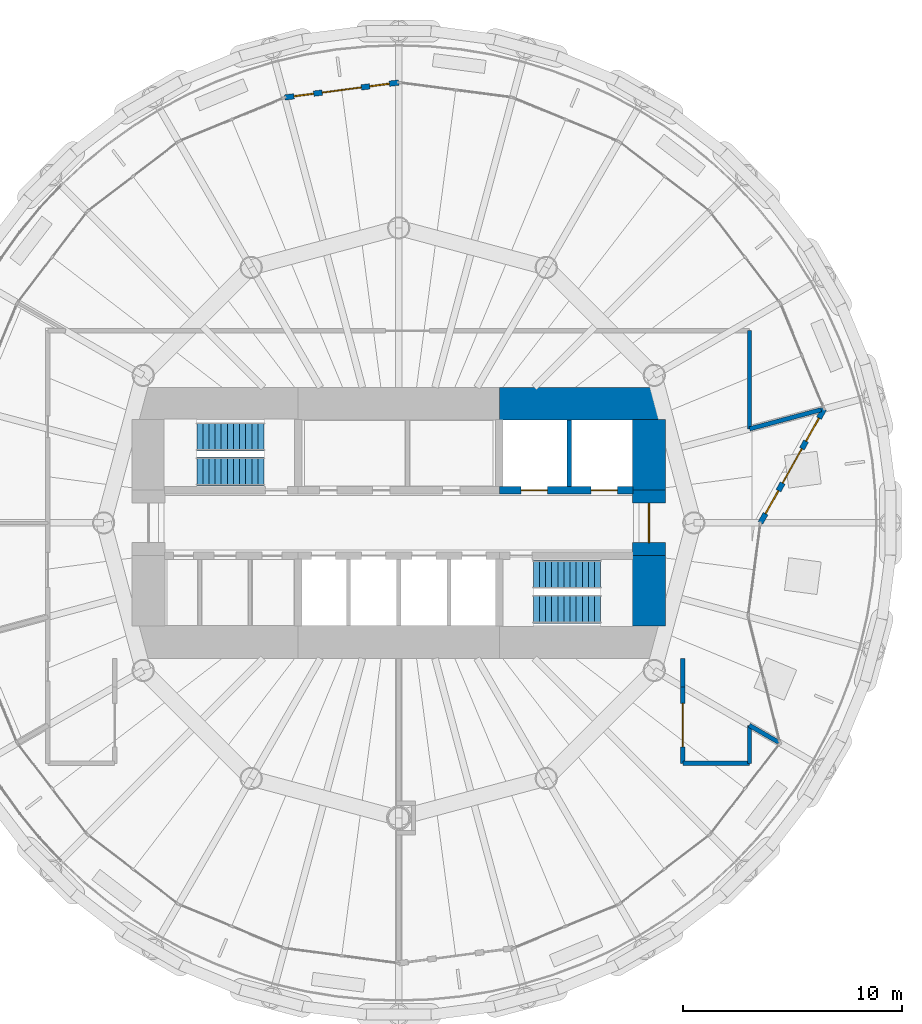
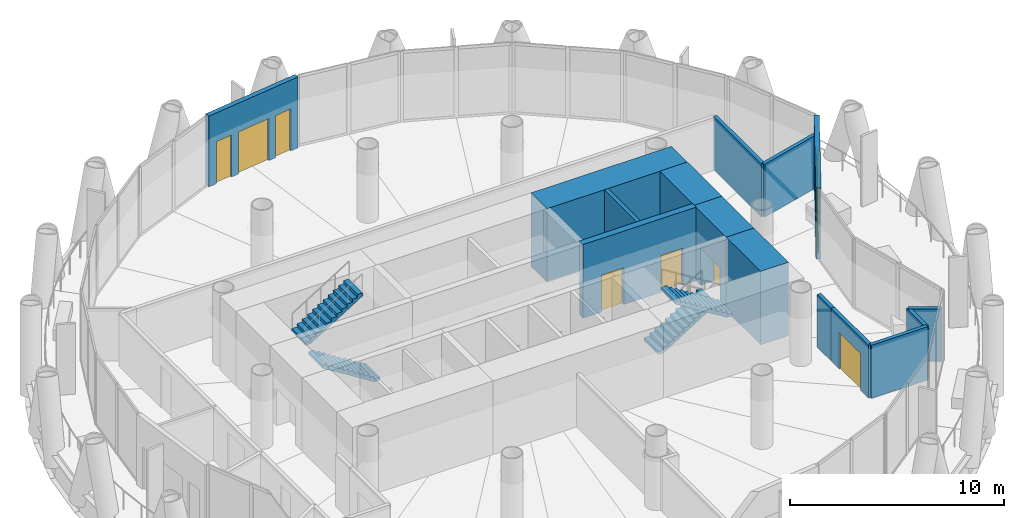
# One storey, part 10 of 13: 15 walls, 6 doors, 4 stair flights, 4 windows, 10 openings, 2 elements without a shape of their own.
"""IFC4 building model written with IfcOpenShell, lengths in metres."""

import ifcopenshell
import ifcopenshell.guid

model = None  # the IFC model being written
_history = None  # IfcOwnerHistory: only IFC2X3 demands one
_inside = {}  # id of a spatial element -> (the spatial element, [elements in it])
_under = {}  # id of a project, library or spatial element -> (it, [spatial elements below it])
_declared = {}  # id of a project -> (the project, [libraries it declares])
_typed = {}  # id of a type object -> (the type object, [elements of that type])
_made_of = {}  # id of a material, layer set ... -> (it, [elements and type objects made of it])


def new_model(schema):
    """Start an empty IFC model of exactly this schema.

    Asked for "IFC4X3", IfcOpenShell would pick the latest addendum, in which some entities
    have other attributes; the version numbers below select the first issue.
    IFC2X3 requires an IfcOwnerHistory on every rooted entity: one is made here for all.
    """
    global model, _history
    if schema == "IFC4X3":
        model = ifcopenshell.file(schema_version=(4, 3, 0, 0))
    else:
        model = ifcopenshell.file(schema=schema)
    _inside.clear()
    _under.clear()
    _declared.clear()
    _typed.clear()
    _made_of.clear()
    _history = None
    if model.schema == "IFC2X3":
        org = make("IfcOrganization", Name="unknown")
        user = make(
            "IfcPersonAndOrganization",
            ThePerson=make("IfcPerson", FamilyName="unknown"),
            TheOrganization=org,
        )
        app = make(
            "IfcApplication",
            ApplicationDeveloper=org,
            Version="unknown",
            ApplicationFullName="unknown",
            ApplicationIdentifier="unknown",
        )
        _history = make(
            "IfcOwnerHistory",
            OwningUser=user,
            OwningApplication=app,
            ChangeAction="ADDED",
            CreationDate=0,
        )
    return model


def make(cls, **values):
    """One entity of the class cls with the attributes given. An attribute that is None is left unset."""
    return model.create_entity(
        cls, **{name: value for name, value in values.items() if value is not None}
    )


def rooted(cls, **values):
    """An entity with a GlobalId (a new one), such as an element, a storey or a relation."""
    return make(cls, GlobalId=ifcopenshell.guid.new(), OwnerHistory=_history, **values)


def si_unit(unit_type, name, prefix=None):
    """IfcSIUnit, for example si_unit("LENGTHUNIT", "METRE", prefix="MILLI")."""
    return make("IfcSIUnit", UnitType=unit_type, Prefix=prefix, Name=name)


def assignment(units):
    """IfcUnitAssignment: the units of a project."""
    return None if units is None else make("IfcUnitAssignment", Units=units)


def point(xyz):
    """IfcCartesianPoint."""
    return None if xyz is None else make("IfcCartesianPoint", Coordinates=xyz)


def direction(xyz):
    """IfcDirection."""
    return None if xyz is None else make("IfcDirection", DirectionRatios=xyz)


def frame(location, z_axis=None, x_axis=None):
    """IfcAxis2Placement3D, a coordinate frame: its origin and axes. An axis left out is left unset."""
    return make(
        "IfcAxis2Placement3D",
        Location=point(location),
        Axis=direction(z_axis),
        RefDirection=direction(x_axis),
    )


def frame_2d(location, x_axis=None):
    """IfcAxis2Placement2D, a coordinate frame in the plane: its origin and x axis."""
    return make(
        "IfcAxis2Placement2D", Location=point(location), RefDirection=direction(x_axis)
    )


def origin():
    """The frame at (0, 0, 0) with its axes left unset."""
    return frame((0.0, 0.0, 0.0))


def place(relative_to, where):
    """IfcLocalPlacement: puts the frame where relative to a parent placement (None: the world)."""
    return make(
        "IfcLocalPlacement", PlacementRelTo=relative_to, RelativePlacement=where
    )


def context(
    kind, dimensions, precision=None, world=None, true_north=None, identifier=None
):
    """IfcGeometricRepresentationContext, for example the 3D "Model" context."""
    return make(
        "IfcGeometricRepresentationContext",
        ContextIdentifier=identifier,
        ContextType=kind,
        CoordinateSpaceDimension=dimensions,
        Precision=precision,
        WorldCoordinateSystem=world,
        TrueNorth=true_north,
    )


def subcontext(parent, identifier, kind, view, scale=None):
    """IfcGeometricRepresentationSubContext, for example "Body" below "Model"."""
    return make(
        "IfcGeometricRepresentationSubContext",
        ContextIdentifier=identifier,
        ContextType=kind,
        ParentContext=parent,
        TargetScale=scale,
        TargetView=view,
    )


def project(units=None, contexts=None):
    """IfcProject with its units and contexts."""
    return rooted(
        "IfcProject",
        Name="project",
        RepresentationContexts=contexts,
        UnitsInContext=assignment(units),
    )


def spatial(cls, under=None, at=None, **own):
    """A site, building, storey or space (cls), placed at a placement, below another one or the project."""
    s = rooted(cls, ObjectPlacement=at, **own)
    if under is not None:
        _under.setdefault(under.id(), (under, []))[1].append(s)
    return s


def polyline(points):
    """IfcPolyline through the points."""
    return make("IfcPolyline", Points=[point(p) for p in points])


def profile(cls, at=None, kind="AREA", **sizes):
    """A parametric profile (cls). Its sizes go by their IFC names, for example OverallWidth=200.0."""
    return make(cls, ProfileType=kind, Position=at, **sizes)


def rectangle(**sizes):
    """IfcRectangleProfileDef."""
    return profile("IfcRectangleProfileDef", **sizes)


def outline(outer, holes=None, kind="AREA"):
    """IfcArbitraryClosedProfileDef: a profile drawn as a closed curve; with holes, ...WithVoids."""
    if holes is None:
        return make("IfcArbitraryClosedProfileDef", ProfileType=kind, OuterCurve=outer)
    return make(
        "IfcArbitraryProfileDefWithVoids",
        ProfileType=kind,
        OuterCurve=outer,
        InnerCurves=holes,
    )


def extrude(swept, where, along, depth):
    """IfcExtrudedAreaSolid: the profile swept, set in the frame where, extruded along a direction by depth."""
    return make(
        "IfcExtrudedAreaSolid",
        SweptArea=swept,
        Position=where,
        ExtrudedDirection=direction(along),
        Depth=depth,
    )


def shape(context_of_items, identifier, shape_type, items):
    """IfcShapeRepresentation: the items that make up one representation, for example the "Body"."""
    return make(
        "IfcShapeRepresentation",
        ContextOfItems=context_of_items,
        RepresentationIdentifier=identifier,
        RepresentationType=shape_type,
        Items=items,
    )


def material(Name=None, Category=None):
    """IfcMaterial."""
    return make("IfcMaterial", Name=Name, Category=Category)


def layer(
    of_material, thickness, ventilated=None, Name=None, Category=None, Priority=None
):
    """IfcMaterialLayer: one layer of a wall or slab, of a material (None: an air gap)."""
    return make(
        "IfcMaterialLayer",
        Material=of_material,
        LayerThickness=thickness,
        IsVentilated=ventilated,
        Name=Name,
        Category=Category,
        Priority=Priority,
    )


def layer_set(layers, Name=None):
    """IfcMaterialLayerSet."""
    return make("IfcMaterialLayerSet", MaterialLayers=layers, LayerSetName=Name)


def made_of(thing, what):
    """Note that an element or type object is made of a material, layer set ...; save() writes the relation."""
    if what is not None:
        _made_of.setdefault(what.id(), (what, []))[1].append(thing)
    return thing


def type_object(cls, material=None, **own):
    """A type object (cls), such as IfcWallType, which elements share."""
    return made_of(rooted(cls, **own), material)


def element(
    cls,
    number,
    at=None,
    inside=None,
    cuts=None,
    type_object=None,
    material=None,
    context=None,
    identifier="Body",
    shape_type=None,
    held_by="IfcProductDefinitionShape",
    body=None,
    shapes=None,
    **own,
):
    """One element of the class cls, such as IfcWall. Its Tag is "e" and its number.

    at: its placement. inside: the storey or other place that contains it. cuts: it is an
    opening in that element (IfcRelVoidsElement). A single representation is given by context,
    identifier, shape_type and body (its items); several are given by shapes. held_by: the class
    of the entity that holds the representations. save() writes the other relations.
    """
    e = rooted(cls, Tag="e%d" % number, ObjectPlacement=at, **own)
    if body is not None:
        shapes = [shape(context, identifier, shape_type, body)]
    if shapes is not None:
        e.Representation = make(held_by, Representations=shapes)
    if inside is not None:
        _inside.setdefault(inside.id(), (inside, []))[1].append(e)
    if cuts is not None:
        rooted(
            "IfcRelVoidsElement", RelatingBuildingElement=cuts, RelatedOpeningElement=e
        )
    if type_object is not None:
        _typed.setdefault(type_object.id(), (type_object, []))[1].append(e)
    return made_of(e, material)


def fill(opening, filler):
    """IfcRelFillsElement: the door or window that sits in an opening."""
    return rooted(
        "IfcRelFillsElement",
        RelatingOpeningElement=opening,
        RelatedBuildingElement=filler,
    )


def aggregate(whole, parts):
    """IfcRelAggregates: a whole, such as a stair, and the parts it consists of."""
    return rooted("IfcRelAggregates", RelatingObject=whole, RelatedObjects=parts)


def save(model, path):
    """Write the relations noted so far, then the file.

    IfcRelAggregates (storeys below a building ...), IfcRelContainedInSpatialStructure (elements
    in a storey), IfcRelDefinesByType, IfcRelAssociatesMaterial and IfcRelDeclares: one each for
    every whole, place, type object, material and project.
    """
    for whole, parts in _under.values():
        aggregate(whole, parts)
    for where, things in _inside.values():
        rooted(
            "IfcRelContainedInSpatialStructure",
            RelatedElements=things,
            RelatingStructure=where,
        )
    for kind, things in _typed.values():
        rooted("IfcRelDefinesByType", RelatedObjects=things, RelatingType=kind)
    for what, things in _made_of.values():
        rooted("IfcRelAssociatesMaterial", RelatedObjects=things, RelatingMaterial=what)
    for by, libraries in _declared.values():
        rooted("IfcRelDeclares", RelatingContext=by, RelatedDefinitions=libraries)
    model.write(path)


model = new_model("IFC4")

# Units and contexts
model_context = context("Model", 3, precision=1e-05, world=origin(), true_north=direction((0.0, 1.0)))
body_context = subcontext(model_context, "Body", "Model", "MODEL_VIEW")
ifc_project = project(units=[si_unit("LENGTHUNIT", "METRE"), si_unit("AREAUNIT", "SQUARE_METRE"), si_unit("VOLUMEUNIT", "CUBIC_METRE"), si_unit("PLANEANGLEUNIT", "RADIAN"), si_unit("MASSUNIT", "GRAM", prefix="KILO")], contexts=[model_context])

# Site, building, storey
site_placement = place(None, origin())
site = spatial("IfcSite", under=ifc_project, at=site_placement, CompositionType="ELEMENT")
building_placement = place(site_placement, origin())
building = spatial("IfcBuilding", under=site, at=building_placement, Name="Qaws Media Tower", CompositionType="ELEMENT")
storey_placement = place(building_placement, frame((0.0, 0.0, 223.39990234375)))
storey = spatial("IfcBuildingStorey", under=building, at=storey_placement, Name="L51", CompositionType="ELEMENT", Elevation=223.39990234375)

# Wall, openings, door, windows
ifc_material_1 = material(Name="Precast concrete, exposed finish", Category="concrete")
ifc_layer_1 = layer(ifc_material_1, 0.25)
ifc_layer_set_1 = layer_set([ifc_layer_1], Name="Balcony door wall 250")
wall_type_1 = type_object("IfcWallType", Name="Balcony door wall 250", PredefinedType="SOLIDWALL", material=ifc_layer_set_1)
wall_1_placement = place(storey_placement, frame((76.550048828125, 50.0, 0.0), z_axis=(0.0, 0.0, 1.0), x_axis=(0.487695861407, 0.873013600562, 0.0)))
wall_1 = element("IfcWall", 1, at=wall_1_placement, inside=storey, type_object=wall_type_1, Name="W243 EW1 balcony door wall L51-01", PredefinedType="SOLIDWALL", context=body_context, shape_type="SweptSolid", body=[
    extrude(rectangle(XDim=5.9736328125, YDim=0.25, at=frame_2d((2.98681640625, 0.0))), origin(), (0.0, 0.0, 1.0), 4.0400390625),
])
opening_1_placement = place(wall_1_placement, frame((2.0869140625, 0.0, 0.0)))
opening_1 = element("IfcOpeningElement", 2, at=opening_1_placement, cuts=wall_1, Name="Opening D7", PredefinedType="OPENING", context=body_context, shape_type="SweptSolid", body=[
    extrude(rectangle(XDim=1.800048828125, YDim=2.39990234375, at=frame_2d((0.89990234375, 1.199951171875))), frame((0.0, 0.135009765625, 0.0), z_axis=(0.0, -1.0, 0.0), x_axis=(1.0, 0.0, 0.0)), (0.0, 0.0, 1.0), 0.27001953125),
])
opening_2_placement = place(wall_1_placement, frame((0.48681640625, 0.0, 0.0)))
opening_2 = element("IfcOpeningElement", 3, at=opening_2_placement, cuts=wall_1, Name="Opening W1", PredefinedType="OPENING", context=body_context, shape_type="SweptSolid", body=[
    extrude(rectangle(XDim=1.199951171875, YDim=2.39990234375, at=frame_2d((0.60009765625, 1.199951171875))), frame((0.0, 0.135009765625, 0.0), z_axis=(0.0, -1.0, 0.0), x_axis=(1.0, 0.0, 0.0)), (0.0, 0.0, 1.0), 0.27001953125),
])
opening_3_placement = place(wall_1_placement, frame((4.286865234375, 0.0, 0.0)))
opening_3 = element("IfcOpeningElement", 4, at=opening_3_placement, cuts=wall_1, Name="Opening W1", PredefinedType="OPENING", context=body_context, shape_type="SweptSolid", body=[
    extrude(rectangle(XDim=1.199951171875, YDim=2.39990234375, at=frame_2d((0.60009765625, 1.199951171875))), frame((0.0, 0.135009765625, 0.0), z_axis=(0.0, -1.0, 0.0), x_axis=(1.0, 0.0, 0.0)), (0.0, 0.0, 1.0), 0.27001953125),
])
ifc_material_2 = material(Name="Aluminium and clear glass", Category="aluminium")
door_type_1 = type_object("IfcDoorType", Name="Balcony door pair 1800", OperationType="DOUBLE_DOOR_SLIDING", PredefinedType="DOOR", material=ifc_material_2)
door_1_placement = place(opening_1_placement, origin())
door_1 = element("IfcDoor", 5, at=door_1_placement, inside=storey, type_object=door_type_1, Name="D7 balcony door L51-01 in wall W243", OperationType="DOUBLE_DOOR_SLIDING", OverallHeight=2.39990234375, OverallWidth=1.800048828125, PredefinedType="DOOR", context=body_context, shape_type="SweptSolid", body=[
    extrude(rectangle(XDim=1.800048828125, YDim=2.39990234375, at=frame_2d((0.89990234375, 1.199951171875))), frame((0.0, 0.02490234375, 0.0), z_axis=(0.0, -1.0, 0.0), x_axis=(1.0, 0.0, 0.0)), (0.0, 0.0, 1.0), 0.050048828125),
])
fill(opening_1, door_1)
ifc_material_3 = material(Name="Aluminium and clear glass", Category="aluminium")
window_type_1 = type_object("IfcWindowType", Name="Balcony side window 1200", PartitioningType="SINGLE_PANEL", PredefinedType="WINDOW", material=ifc_material_3)
window_1_placement = place(opening_2_placement, origin())
window_1 = element("IfcWindow", 6, at=window_1_placement, inside=storey, type_object=window_type_1, Name="W1 balcony side light L51-01L", OverallHeight=2.39990234375, OverallWidth=1.199951171875, PartitioningType="SINGLE_PANEL", PredefinedType="WINDOW", context=body_context, shape_type="SweptSolid", body=[
    extrude(rectangle(XDim=1.199951171875, YDim=2.39990234375, at=frame_2d((0.60009765625, 1.199951171875))), frame((0.0, 0.030029296875, 0.0), z_axis=(0.0, -1.0, 0.0), x_axis=(1.0, 0.0, 0.0)), (0.0, 0.0, 1.0), 0.06005859375),
])
fill(opening_2, window_1)
window_2_placement = place(opening_3_placement, origin())
window_2 = element("IfcWindow", 7, at=window_2_placement, inside=storey, type_object=window_type_1, Name="W1 balcony side light L51-01R", OverallHeight=2.39990234375, OverallWidth=1.199951171875, PartitioningType="SINGLE_PANEL", PredefinedType="WINDOW", context=body_context, shape_type="SweptSolid", body=[
    extrude(rectangle(XDim=1.199951171875, YDim=2.39990234375, at=frame_2d((0.60009765625, 1.199951171875))), frame((0.0, 0.030029296875, 0.0), z_axis=(0.0, -1.0, 0.0), x_axis=(1.0, 0.0, 0.0)), (0.0, 0.0, 1.0), 0.06005859375),
])
fill(opening_3, window_2)

wall_2_placement = place(storey_placement, frame((60.0, 70.14990234375, 0.0), z_axis=(0.0, 0.0, 1.0), x_axis=(-0.991446236789, -0.130515744481, 0.0)))
wall_2 = element("IfcWall", 8, at=wall_2_placement, inside=storey, type_object=wall_type_1, Name="W242 EW1 balcony door wall L51-07", PredefinedType="SOLIDWALL", context=body_context, shape_type="SweptSolid", body=[
    extrude(rectangle(XDim=5.260009765625, YDim=0.25, at=frame_2d((2.6298828125, 0.0))), origin(), (0.0, 0.0, 1.0), 4.0400390625),
])
opening_4_placement = place(wall_2_placement, frame((1.730224609375, 0.0, 0.0)))
opening_4 = element("IfcOpeningElement", 9, at=opening_4_placement, cuts=wall_2, Name="Opening D7", PredefinedType="OPENING", context=body_context, shape_type="SweptSolid", body=[
    extrude(rectangle(XDim=1.800048828125, YDim=2.39990234375, at=frame_2d((0.89990234375, 1.199951171875))), frame((0.0, 0.135009765625, 0.0), z_axis=(0.0, -1.0, 0.0), x_axis=(1.0, 0.0, 0.0)), (0.0, 0.0, 1.0), 0.27001953125),
])
opening_5_placement = place(wall_2_placement, frame((0.43017578125, 0.0, 0.0)))
opening_5 = element("IfcOpeningElement", 10, at=opening_5_placement, cuts=wall_2, Name="Opening W7", PredefinedType="OPENING", context=body_context, shape_type="SweptSolid", body=[
    extrude(rectangle(XDim=0.89990234375, YDim=2.39990234375, at=frame_2d((0.449951171875, 1.199951171875))), frame((0.0, 0.135009765625, 0.0), z_axis=(0.0, -1.0, 0.0), x_axis=(1.0, 0.0, 0.0)), (0.0, 0.0, 1.0), 0.27001953125),
])
opening_6_placement = place(wall_2_placement, frame((3.93017578125, 0.0, 0.0)))
opening_6 = element("IfcOpeningElement", 11, at=opening_6_placement, cuts=wall_2, Name="Opening W7", PredefinedType="OPENING", context=body_context, shape_type="SweptSolid", body=[
    extrude(rectangle(XDim=0.89990234375, YDim=2.39990234375, at=frame_2d((0.449951171875, 1.199951171875))), frame((0.0, 0.135009765625, 0.0), z_axis=(0.0, -1.0, 0.0), x_axis=(1.0, 0.0, 0.0)), (0.0, 0.0, 1.0), 0.27001953125),
])
door_2_placement = place(opening_4_placement, origin())
door_2 = element("IfcDoor", 12, at=door_2_placement, inside=storey, type_object=door_type_1, Name="D7 balcony door L51-07 in wall W242", OperationType="DOUBLE_DOOR_SLIDING", OverallHeight=2.39990234375, OverallWidth=1.800048828125, PredefinedType="DOOR", context=body_context, shape_type="SweptSolid", body=[
    extrude(rectangle(XDim=1.800048828125, YDim=2.39990234375, at=frame_2d((0.89990234375, 1.199951171875))), frame((0.0, 0.02490234375, 0.0), z_axis=(0.0, -1.0, 0.0), x_axis=(1.0, 0.0, 0.0)), (0.0, 0.0, 1.0), 0.050048828125),
])
fill(opening_4, door_2)
ifc_material_4 = material(Name="Aluminium and clear glass", Category="aluminium")
window_type_2 = type_object("IfcWindowType", Name="Balcony side window 900", PartitioningType="SINGLE_PANEL", PredefinedType="WINDOW", material=ifc_material_4)
window_3_placement = place(opening_5_placement, origin())
window_3 = element("IfcWindow", 13, at=window_3_placement, inside=storey, type_object=window_type_2, Name="W1 balcony side light L51-07L", OverallHeight=2.39990234375, OverallWidth=0.89990234375, PartitioningType="SINGLE_PANEL", PredefinedType="WINDOW", context=body_context, shape_type="SweptSolid", body=[
    extrude(rectangle(XDim=0.89990234375, YDim=2.39990234375, at=frame_2d((0.449951171875, 1.199951171875))), frame((0.0, 0.030029296875, 0.0), z_axis=(0.0, -1.0, 0.0), x_axis=(1.0, 0.0, 0.0)), (0.0, 0.0, 1.0), 0.06005859375),
])
fill(opening_5, window_3)
window_4_placement = place(opening_6_placement, origin())
window_4 = element("IfcWindow", 14, at=window_4_placement, inside=storey, type_object=window_type_2, Name="W1 balcony side light L51-07R", OverallHeight=2.39990234375, OverallWidth=0.89990234375, PartitioningType="SINGLE_PANEL", PredefinedType="WINDOW", context=body_context, shape_type="SweptSolid", body=[
    extrude(rectangle(XDim=0.89990234375, YDim=2.39990234375, at=frame_2d((0.449951171875, 1.199951171875))), frame((0.0, 0.030029296875, 0.0), z_axis=(0.0, -1.0, 0.0), x_axis=(1.0, 0.0, 0.0)), (0.0, 0.0, 1.0), 0.06005859375),
])
fill(opening_6, window_4)

# Wall, openings, doors
ifc_material_5 = material(Name="Concrete C60/75", Category="concrete")
ifc_layer_2 = layer(ifc_material_5, 0.35009765625)
ifc_layer_set_2 = layer_set([ifc_layer_2], Name="Core inner wall 350")
wall_type_2 = type_object("IfcWallType", Name="Core inner wall 350", PredefinedType="SHEAR", material=ifc_layer_set_2)
wall_3_placement = place(storey_placement, frame((64.60009765625, 51.5, 0.0), z_axis=(0.0, 0.0, 1.0), x_axis=(1.0, 0.0, 0.0)))
wall_3 = element("IfcWall", 15, at=wall_3_placement, inside=storey, type_object=wall_type_2, Name="W308 SW5 core wall SPNE L51", PredefinedType="SHEAR", context=body_context, shape_type="SweptSolid", body=[
    extrude(rectangle(XDim=6.119873046875, YDim=0.35009765625, at=frame_2d((3.06005859375, 0.0))), origin(), (0.0, 0.0, 1.0), 4.2001953125),
])
opening_7_placement = place(wall_3_placement, frame((1.0, 0.0, 0.0)))
opening_7 = element("IfcOpeningElement", 16, at=opening_7_placement, cuts=wall_3, Name="Opening LD2", PredefinedType="OPENING", context=body_context, shape_type="SweptSolid", body=[
    extrude(rectangle(XDim=1.199951171875, YDim=2.10009765625, at=frame_2d((0.60009765625, 1.050048828125))), frame((0.0, 0.18505859375, 0.0), z_axis=(0.0, -1.0, 0.0), x_axis=(1.0, 0.0, 0.0)), (0.0, 0.0, 1.0), 0.3701171875),
])
opening_8_placement = place(wall_3_placement, frame((4.199951171875, 0.0, 0.0)))
opening_8 = element("IfcOpeningElement", 17, at=opening_8_placement, cuts=wall_3, Name="Opening LD2", PredefinedType="OPENING", context=body_context, shape_type="SweptSolid", body=[
    extrude(rectangle(XDim=1.199951171875, YDim=2.10009765625, at=frame_2d((0.60009765625, 1.050048828125))), frame((0.0, 0.18505859375, 0.0), z_axis=(0.0, -1.0, 0.0), x_axis=(1.0, 0.0, 0.0)), (0.0, 0.0, 1.0), 0.3701171875),
])
ifc_material_6 = material(Name="Steel, fire rated", Category="steel")
door_type_2 = type_object("IfcDoorType", Name="Lift landing door 1200", OperationType="SLIDING_TO_LEFT", PredefinedType="DOOR", material=ifc_material_6)
door_3_placement = place(opening_7_placement, origin())
door_3 = element("IfcDoor", 18, at=door_3_placement, inside=storey, type_object=door_type_2, Name="FL1 landing door L51 in wall W308", OperationType="SLIDING_TO_LEFT", OverallHeight=2.10009765625, OverallWidth=1.199951171875, PredefinedType="DOOR", context=body_context, shape_type="SweptSolid", body=[
    extrude(rectangle(XDim=1.199951171875, YDim=2.10009765625, at=frame_2d((0.60009765625, 1.050048828125))), frame((0.0, 0.02490234375, 0.0), z_axis=(0.0, -1.0, 0.0), x_axis=(1.0, 0.0, 0.0)), (0.0, 0.0, 1.0), 0.050048828125),
])
fill(opening_7, door_3)
door_4_placement = place(opening_8_placement, origin())
door_4 = element("IfcDoor", 19, at=door_4_placement, inside=storey, type_object=door_type_2, Name="FL2 landing door L51 in wall W308", OperationType="SLIDING_TO_LEFT", OverallHeight=2.10009765625, OverallWidth=1.199951171875, PredefinedType="DOOR", context=body_context, shape_type="SweptSolid", body=[
    extrude(rectangle(XDim=1.199951171875, YDim=2.10009765625, at=frame_2d((0.60009765625, 1.050048828125))), frame((0.0, 0.02490234375, 0.0), z_axis=(0.0, -1.0, 0.0), x_axis=(1.0, 0.0, 0.0)), (0.0, 0.0, 1.0), 0.050048828125),
])
fill(opening_8, door_4)

# Walls
ifc_material_7 = material(Name="Concrete C60/75", Category="concrete")
ifc_layer_3 = layer(ifc_material_7, 1.5)
ifc_layer_set_3 = layer_set([ifc_layer_3], Name="Core wall 1500")
wall_type_3 = type_object("IfcWallType", Name="Core wall 1500", PredefinedType="SHEAR", material=ifc_layer_set_3)
wall_4_placement = place(storey_placement, frame((64.60009765625, 55.449951171875, 0.0), z_axis=(0.0, 0.0, 1.0), x_axis=(1.0, 0.0, 0.0)))
element("IfcWall", 20, at=wall_4_placement, inside=storey, type_object=wall_type_3, Name="W382 SW13 core wall NE L51", PredefinedType="SHEAR", context=body_context, shape_type="SweptSolid", body=[
    extrude(rectangle(XDim=7.599853515625, YDim=1.5, at=frame_2d((3.7998046875, 0.0))), origin(), (0.0, 0.0, 1.0), 4.2001953125),
])
wall_5_placement = place(storey_placement, frame((71.449951171875, 45.280029296875, 0.0), z_axis=(0.0, 0.0, 1.0), x_axis=(0.0, 1.0, 0.0)))
element("IfcWall", 21, at=wall_5_placement, inside=storey, type_object=wall_type_3, Name="W383 SW13 core wall ES L51", PredefinedType="SHEAR", context=body_context, shape_type="SweptSolid", body=[
    extrude(rectangle(XDim=3.219970703125, YDim=1.5, at=frame_2d((1.60986328125, 0.0))), origin(), (0.0, 0.0, 1.0), 4.2001953125),
])

# Wall, opening, door
wall_6_placement = place(storey_placement, frame((71.449951171875, 48.5, 0.0), z_axis=(0.0, 0.0, 1.0), x_axis=(0.0, 1.0, 0.0)))
wall_6 = element("IfcWall", 22, at=wall_6_placement, inside=storey, type_object=wall_type_3, Name="W384 SW13 core wall E L51", PredefinedType="SHEAR", context=body_context, shape_type="SweptSolid", body=[
    extrude(rectangle(XDim=3.0, YDim=1.5, at=frame_2d((1.5, 0.0))), origin(), (0.0, 0.0, 1.0), 4.2001953125),
])
opening_9_placement = place(wall_6_placement, frame((0.60009765625, 0.0, 0.0)))
opening_9 = element("IfcOpeningElement", 23, at=opening_9_placement, cuts=wall_6, Name="Opening D2", PredefinedType="OPENING", context=body_context, shape_type="SweptSolid", body=[
    extrude(rectangle(XDim=1.800048828125, YDim=2.10009765625, at=frame_2d((0.89990234375, 1.050048828125))), frame((0.0, 0.760009765625, 0.0), z_axis=(0.0, -1.0, 0.0), x_axis=(1.0, 0.0, 0.0)), (0.0, 0.0, 1.0), 1.52001953125),
])
ifc_material_8 = material(Name="Steel and glass, fire rated", Category="steel")
door_type_3 = type_object("IfcDoorType", Name="Lobby door pair 1800 FD60", OperationType="DOUBLE_DOOR_DOUBLE_SWING", PredefinedType="DOOR", material=ifc_material_8)
door_5_placement = place(opening_9_placement, origin())
door_5 = element("IfcDoor", 24, at=door_5_placement, inside=storey, type_object=door_type_3, Name="D2 core lobby door E L51 in wall W384", OperationType="DOUBLE_DOOR_DOUBLE_SWING", OverallHeight=2.10009765625, OverallWidth=1.800048828125, PredefinedType="DOOR", context=body_context, shape_type="SweptSolid", body=[
    extrude(rectangle(XDim=1.800048828125, YDim=2.10009765625, at=frame_2d((0.89990234375, 1.050048828125))), frame((0.0, 0.02490234375, 0.0), z_axis=(0.0, -1.0, 0.0), x_axis=(1.0, 0.0, 0.0)), (0.0, 0.0, 1.0), 0.050048828125),
])
fill(opening_9, door_5)

# Walls
wall_7_placement = place(storey_placement, frame((71.449951171875, 51.5, 0.0), z_axis=(0.0, 0.0, 1.0), x_axis=(0.0, 1.0, 0.0)))
element("IfcWall", 25, at=wall_7_placement, inside=storey, type_object=wall_type_3, Name="W385 SW13 core wall EN L51", PredefinedType="SHEAR", context=body_context, shape_type="SweptSolid", body=[
    extrude(rectangle(XDim=3.219970703125, YDim=1.5, at=frame_2d((1.60986328125, 0.0))), origin(), (0.0, 0.0, 1.0), 4.2001953125),
])
ifc_material_9 = material(Name="Gypsum board on galvanised metal studs, acoustic double stud, deflection head", Category="gypsum")
ifc_layer_4 = layer(ifc_material_9, 0.199951171875)
ifc_layer_set_4 = layer_set([ifc_layer_4], Name="Room partition 200")
wall_type_4 = type_object("IfcWallType", Name="Room partition 200", PredefinedType="PARTITIONING", material=ifc_layer_set_4)
wall_8_placement = place(storey_placement, frame((76.050048828125, 58.800048828125, 0.0), z_axis=(0.0, 0.0, 1.0), x_axis=(0.0, -1.0, 0.0)))
element("IfcWall", 26, at=wall_8_placement, inside=storey, type_object=wall_type_4, Name="W1607 IW3 partition L51", PredefinedType="PARTITIONING", context=body_context, shape_type="SweptSolid", body=[
    extrude(rectangle(XDim=4.49951171875, YDim=0.199951171875, at=frame_2d((2.249755859375, 0.0))), origin(), (0.0, 0.0, 1.0), 3.02001953125),
])
wall_9_placement = place(storey_placement, frame((76.050048828125, 40.7333984375, 0.0), z_axis=(0.0, 0.0, 1.0), x_axis=(0.0, -1.0, 0.0)))
element("IfcWall", 27, at=wall_9_placement, inside=storey, type_object=wall_type_4, Name="W1606 IW3 partition L51", PredefinedType="PARTITIONING", context=body_context, shape_type="SweptSolid", body=[
    extrude(rectangle(XDim=1.7333984375, YDim=0.199951171875, at=frame_2d((0.86669921875, 0.0))), origin(), (0.0, 0.0, 1.0), 3.02001953125),
])
wall_10_placement = place(storey_placement, frame((76.050048828125, 39.0, 0.0), z_axis=(0.0, 0.0, 1.0), x_axis=(-1.0, 0.0, 0.0)))
element("IfcWall", 28, at=wall_10_placement, inside=storey, type_object=wall_type_4, Name="W1605 IW3 partition L51", PredefinedType="PARTITIONING", context=body_context, shape_type="SweptSolid", body=[
    extrude(rectangle(XDim=3.050048828125, YDim=0.199951171875, at=frame_2d((1.52490234375, 0.0))), origin(), (0.0, 0.0, 1.0), 3.0400390625),
])

# Wall, opening, door
wall_11_placement = place(storey_placement, frame((73.0, 39.0, 0.0), z_axis=(0.0, 0.0, 1.0), x_axis=(0.0, 1.0, 0.0)))
wall_11 = element("IfcWall", 29, at=wall_11_placement, inside=storey, type_object=wall_type_4, Name="W1602 IW3 partition L51", PredefinedType="PARTITIONING", context=body_context, shape_type="SweptSolid", body=[
    extrude(rectangle(XDim=3.494384765625, YDim=0.199951171875, at=frame_2d((1.7470703125, 0.0))), origin(), (0.0, 0.0, 1.0), 3.02001953125),
])
opening_10_placement = place(wall_11_placement, frame((0.747314453125, 0.0, 0.0)))
opening_10 = element("IfcOpeningElement", 30, at=opening_10_placement, cuts=wall_11, Name="Opening D6", PredefinedType="OPENING", context=body_context, shape_type="SweptSolid", body=[
    extrude(rectangle(XDim=2.0, YDim=2.10009765625, at=frame_2d((1.0, 1.050048828125))), frame((0.0, 0.10986328125, 0.0), z_axis=(0.0, -1.0, 0.0), x_axis=(1.0, 0.0, 0.0)), (0.0, 0.0, 1.0), 0.219970703125),
])
ifc_material_10 = material(Name="Steel, acoustic, fire rated", Category="steel")
door_type_4 = type_object("IfcDoorType", Name="Room door pair 2000", OperationType="DOUBLE_DOOR_DOUBLE_SWING", PredefinedType="DOOR", material=ifc_material_10)
door_6_placement = place(opening_10_placement, origin())
door_6 = element("IfcDoor", 31, at=door_6_placement, inside=storey, type_object=door_type_4, Name="D6 Tenant office door L51 in wall W1602", OperationType="DOUBLE_DOOR_DOUBLE_SWING", OverallHeight=2.10009765625, OverallWidth=2.0, PredefinedType="DOOR", context=body_context, shape_type="SweptSolid", body=[
    extrude(rectangle(XDim=2.0, YDim=2.10009765625, at=frame_2d((1.0, 1.050048828125))), frame((0.0, 0.02490234375, 0.0), z_axis=(0.0, -1.0, 0.0), x_axis=(1.0, 0.0, 0.0)), (0.0, 0.0, 1.0), 0.050048828125),
])
fill(opening_10, door_6)

# Walls
wall_12_placement = place(storey_placement, frame((73.0, 42.494384765625, 0.0), z_axis=(0.0, 0.0, 1.0), x_axis=(0.0, 1.0, 0.0)))
element("IfcWall", 32, at=wall_12_placement, inside=storey, type_object=wall_type_4, Name="W1603 IW3 partition L51", PredefinedType="PARTITIONING", context=body_context, shape_type="SweptSolid", body=[
    extrude(rectangle(XDim=1.3056640625, YDim=0.199951171875, at=frame_2d((0.65283203125, 0.0))), origin(), (0.0, 0.0, 1.0), 3.02001953125),
])
wall_13_placement = place(storey_placement, frame((76.0537109375, 54.301513671875, 0.0), z_axis=(0.0, 0.0, 1.0), x_axis=(0.965921047093, 0.258836880648, 0.0)))
element("IfcWall", 33, at=wall_13_placement, inside=storey, type_object=wall_type_4, Name="W1608 IW3 partition L51", PredefinedType="PARTITIONING", context=body_context, shape_type="SweptSolid", body=[
    extrude(rectangle(XDim=3.389892578125, YDim=0.199951171875, at=frame_2d((1.69482421875, 0.0))), origin(), (0.0, 0.0, 1.0), 3.02001953125),
])
wall_14_placement = place(storey_placement, frame((76.038818359375, 40.739990234375, 0.0), z_axis=(0.0, 0.0, 1.0), x_axis=(0.866042392862, -0.4999705729, 0.0)))
element("IfcWall", 34, at=wall_14_placement, inside=storey, type_object=wall_type_4, Name="W1604 IW3 partition L51", PredefinedType="PARTITIONING", context=body_context, shape_type="SweptSolid", body=[
    extrude(rectangle(XDim=1.58984375, YDim=0.199951171875, at=frame_2d((0.794921875, 0.0))), origin(), (0.0, 0.0, 1.0), 3.02001953125),
])
ifc_material_11 = material(Name="Fire-rated gypsum board shaft wall on galvanised metal studs, deflection head", Category="gypsum")
ifc_layer_5 = layer(ifc_material_11, 0.199951171875)
ifc_layer_set_5 = layer_set([ifc_layer_5], Name="Shaft wall 200")
wall_type_5 = type_object("IfcWallType", Name="Shaft wall 200", PredefinedType="PARTITIONING", material=ifc_layer_set_5)
wall_15_placement = place(storey_placement, frame((67.800048828125, 51.675048828125, 0.0), z_axis=(0.0, 0.0, 1.0), x_axis=(0.0, 1.0, 0.0)))
element("IfcWall", 35, at=wall_15_placement, inside=storey, type_object=wall_type_5, Name="W1874 IW1 shaft wall FL L51", PredefinedType="PARTITIONING", context=body_context, shape_type="SweptSolid", body=[
    extrude(rectangle(XDim=3.02490234375, YDim=0.199951171875, at=frame_2d((1.512451171875, 0.0))), origin(), (0.0, 0.0, 1.0), 4.2001953125),
])

# Stair, stair flights
ifc_material_12 = material(Name="Concrete C40/50", Category="concrete")
stair_type = type_object("IfcStairType", Name="Exit stair", PredefinedType="HALF_TURN_STAIR", material=ifc_material_12)
stair_1_placement = place(storey_placement, origin())
stair_1 = element("IfcStair", 36, at=stair_1_placement, inside=storey, type_object=stair_type, Name="S1 exit stair L51", PredefinedType="HALF_TURN_STAIR")
ifc_material_13 = material(Name="Concrete C40/50", Category="concrete")
stair_flight_type = type_object("IfcStairFlightType", Name="Stair flight 1310", PredefinedType="STRAIGHT", material=ifc_material_13)
stair_flight_1_placement = place(storey_placement, frame((53.840087890625, 52.35498046875, 0.0), z_axis=(0.0, 0.0, 1.0), x_axis=(-1.0, 0.0, 0.0)))
stair_flight_1 = element("IfcStairFlight", 37, at=stair_flight_1_placement, type_object=stair_flight_type, Name="S1 flight 1", NumberOfRisers=12, NumberOfTreads=11, PredefinedType="STRAIGHT", RiserHeight=0.175, TreadLength=0.28, context=body_context, shape_type="SweptSolid", body=[
    extrude(outline(polyline([(0.0, 0.0), (0.0, 0.175048828125), (0.280029296875, 0.175048828125), (0.280029296875, 0.35009765625), (0.56005859375, 0.35009765625), (0.56005859375, 0.52490234375), (0.840087890625, 0.52490234375), (0.840087890625, 0.699951171875), (1.1201171875, 0.699951171875), (1.1201171875, 0.875), (1.39990234375, 0.875), (1.39990234375, 1.050048828125), (1.679931640625, 1.050048828125), (1.679931640625, 1.22509765625), (1.9599609375, 1.22509765625), (1.9599609375, 1.39990234375), (2.239990234375, 1.39990234375), (2.239990234375, 1.574951171875), (2.52001953125, 1.574951171875), (2.52001953125, 1.75), (2.800048828125, 1.75), (2.800048828125, 1.925048828125), (3.080078125, 1.925048828125), (3.080078125, 2.10009765625), (3.080078125, 1.748291015625), (0.28271484375, 0.0), (0.0, 0.0)])), frame((0.0, 0.655029296875, 0.0), z_axis=(0.0, -1.0, 0.0), x_axis=(1.0, 0.0, 0.0)), (0.0, 0.0, 1.0), 1.31005859375),
])
stair_flight_2_placement = place(storey_placement, frame((50.760009765625, 53.945068359375, 2.10009765625), z_axis=(0.0, 0.0, 1.0), x_axis=(1.0, 0.0, 0.0)))
stair_flight_2 = element("IfcStairFlight", 38, at=stair_flight_2_placement, type_object=stair_flight_type, Name="S1 flight 2", NumberOfRisers=12, NumberOfTreads=11, PredefinedType="STRAIGHT", RiserHeight=0.175, TreadLength=0.28, context=body_context, shape_type="SweptSolid", body=[
    extrude(outline(polyline([(0.0, 0.0), (0.0, 0.175048828125), (0.280029296875, 0.175048828125), (0.280029296875, 0.35009765625), (0.56005859375, 0.35009765625), (0.56005859375, 0.52490234375), (0.840087890625, 0.52490234375), (0.840087890625, 0.699951171875), (1.1201171875, 0.699951171875), (1.1201171875, 0.875), (1.39990234375, 0.875), (1.39990234375, 1.050048828125), (1.679931640625, 1.050048828125), (1.679931640625, 1.22509765625), (1.9599609375, 1.22509765625), (1.9599609375, 1.39990234375), (2.239990234375, 1.39990234375), (2.239990234375, 1.574951171875), (2.52001953125, 1.574951171875), (2.52001953125, 1.75), (2.800048828125, 1.75), (2.800048828125, 1.925048828125), (3.080078125, 1.925048828125), (3.080078125, 2.10009765625), (3.080078125, 1.748291015625), (0.28271484375, 0.0), (0.0, 0.0)])), frame((0.0, 0.655029296875, 0.0), z_axis=(0.0, -1.0, 0.0), x_axis=(1.0, 0.0, 0.0)), (0.0, 0.0, 1.0), 1.31005859375),
])
aggregate(stair_1, [stair_flight_1, stair_flight_2])

stair_2_placement = place(storey_placement, origin())
stair_2 = element("IfcStair", 39, at=stair_2_placement, inside=storey, type_object=stair_type, Name="S2 exit stair L51", PredefinedType="HALF_TURN_STAIR")
stair_flight_3_placement = place(storey_placement, frame((66.159912109375, 47.64501953125, 0.0), z_axis=(0.0, 0.0, 1.0), x_axis=(1.0, 0.0, 0.0)))
stair_flight_3 = element("IfcStairFlight", 40, at=stair_flight_3_placement, type_object=stair_flight_type, Name="S2 flight 1", NumberOfRisers=12, NumberOfTreads=11, PredefinedType="STRAIGHT", RiserHeight=0.175, TreadLength=0.28, context=body_context, shape_type="SweptSolid", body=[
    extrude(outline(polyline([(0.0, 0.0), (0.0, 0.175048828125), (0.280029296875, 0.175048828125), (0.280029296875, 0.35009765625), (0.56005859375, 0.35009765625), (0.56005859375, 0.52490234375), (0.840087890625, 0.52490234375), (0.840087890625, 0.699951171875), (1.1201171875, 0.699951171875), (1.1201171875, 0.875), (1.39990234375, 0.875), (1.39990234375, 1.050048828125), (1.679931640625, 1.050048828125), (1.679931640625, 1.22509765625), (1.9599609375, 1.22509765625), (1.9599609375, 1.39990234375), (2.239990234375, 1.39990234375), (2.239990234375, 1.574951171875), (2.52001953125, 1.574951171875), (2.52001953125, 1.75), (2.800048828125, 1.75), (2.800048828125, 1.925048828125), (3.080078125, 1.925048828125), (3.080078125, 2.10009765625), (3.080078125, 1.748291015625), (0.28271484375, 0.0), (0.0, 0.0)])), frame((0.0, 0.655029296875, 0.0), z_axis=(0.0, -1.0, 0.0), x_axis=(1.0, 0.0, 0.0)), (0.0, 0.0, 1.0), 1.31005859375),
])
stair_flight_4_placement = place(storey_placement, frame((69.239990234375, 46.054931640625, 2.10009765625), z_axis=(0.0, 0.0, 1.0), x_axis=(-1.0, 0.0, 0.0)))
stair_flight_4 = element("IfcStairFlight", 41, at=stair_flight_4_placement, type_object=stair_flight_type, Name="S2 flight 2", NumberOfRisers=12, NumberOfTreads=11, PredefinedType="STRAIGHT", RiserHeight=0.175, TreadLength=0.28, context=body_context, shape_type="SweptSolid", body=[
    extrude(outline(polyline([(0.0, 0.0), (0.0, 0.175048828125), (0.280029296875, 0.175048828125), (0.280029296875, 0.35009765625), (0.56005859375, 0.35009765625), (0.56005859375, 0.52490234375), (0.840087890625, 0.52490234375), (0.840087890625, 0.699951171875), (1.1201171875, 0.699951171875), (1.1201171875, 0.875), (1.39990234375, 0.875), (1.39990234375, 1.050048828125), (1.679931640625, 1.050048828125), (1.679931640625, 1.22509765625), (1.9599609375, 1.22509765625), (1.9599609375, 1.39990234375), (2.239990234375, 1.39990234375), (2.239990234375, 1.574951171875), (2.52001953125, 1.574951171875), (2.52001953125, 1.75), (2.800048828125, 1.75), (2.800048828125, 1.925048828125), (3.080078125, 1.925048828125), (3.080078125, 2.10009765625), (3.080078125, 1.748291015625), (0.28271484375, 0.0), (0.0, 0.0)])), frame((0.0, 0.655029296875, 0.0), z_axis=(0.0, -1.0, 0.0), x_axis=(1.0, 0.0, 0.0)), (0.0, 0.0, 1.0), 1.31005859375),
])
aggregate(stair_2, [stair_flight_3, stair_flight_4])

save(model, "model.ifc")
